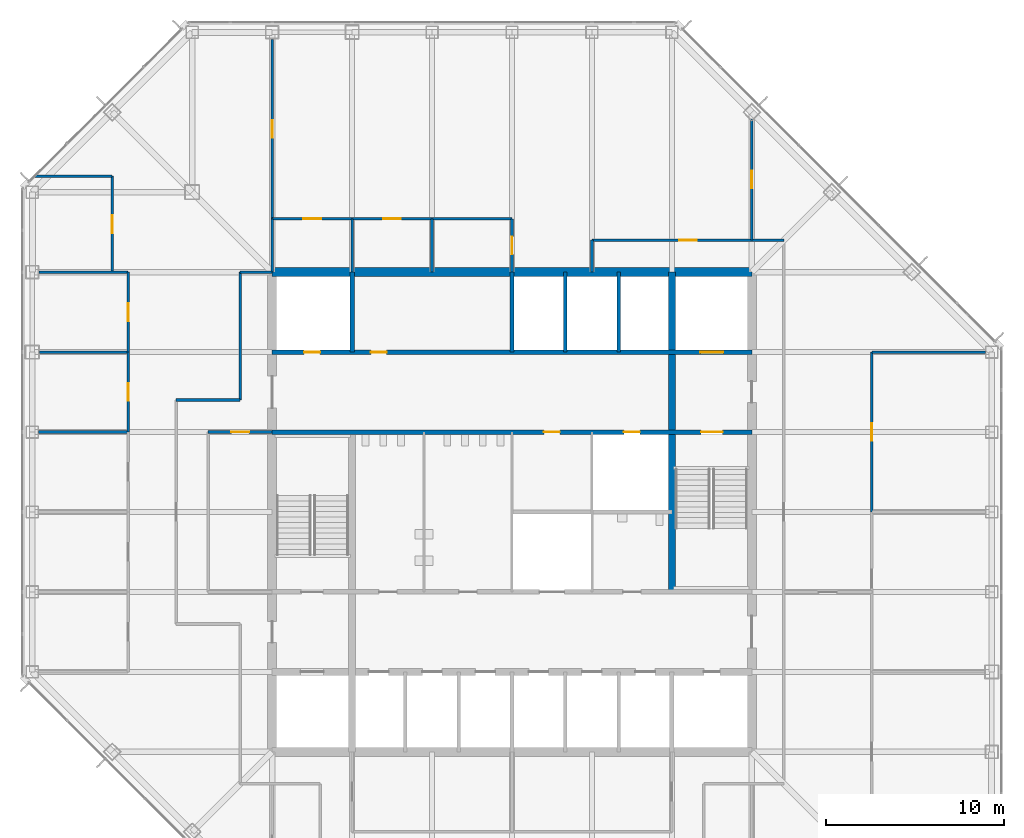
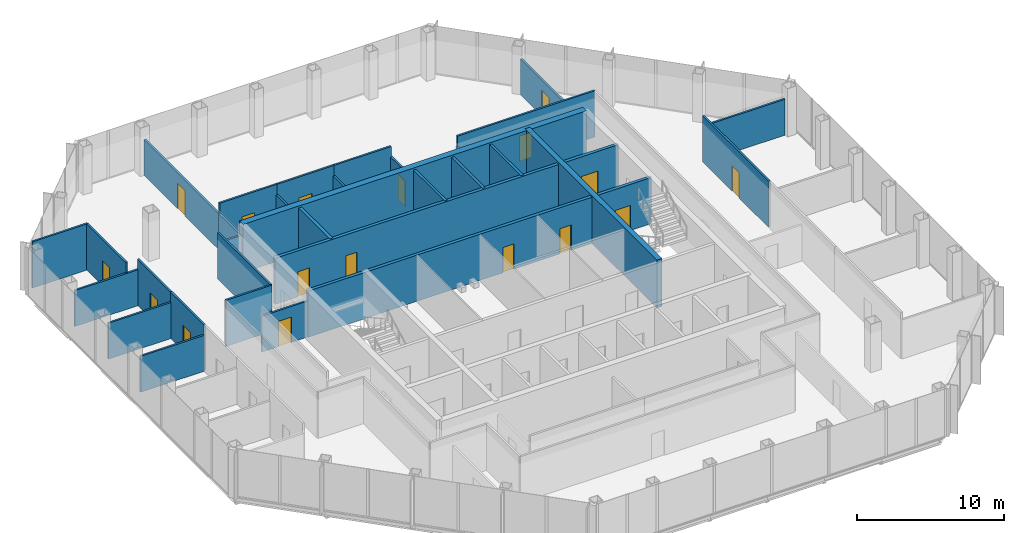
# One storey, part 10 of 13: 32 walls, 17 doors, 17 openings.
"""IFC4 building model written with IfcOpenShell, lengths in metres."""

from ifc_helpers import new_model, si_unit, direction, frame, frame_2d, origin, place, context, subcontext, project, spatial, rectangle, extrude, material, layer, layer_set, type_object, element, fill, save


model = new_model("IFC4")

# Units and contexts
model_context = context("Model", 3, precision=1e-05, world=origin(), true_north=direction((0.0, 1.0)))
body_context = subcontext(model_context, "Body", "Model", "MODEL_VIEW")
ifc_project = project(units=[si_unit("LENGTHUNIT", "METRE"), si_unit("AREAUNIT", "SQUARE_METRE"), si_unit("VOLUMEUNIT", "CUBIC_METRE"), si_unit("PLANEANGLEUNIT", "RADIAN"), si_unit("MASSUNIT", "GRAM", prefix="KILO")], contexts=[model_context])

# Site, building, storey
site_placement = place(None, origin())
site = spatial("IfcSite", under=ifc_project, at=site_placement, CompositionType="ELEMENT")
building_placement = place(site_placement, origin())
building = spatial("IfcBuilding", under=site, at=building_placement, Name="Corais Broadcast Tower", CompositionType="ELEMENT")
storey_placement = place(building_placement, frame((0.0, 0.0, 155.60009765625)))
storey = spatial("IfcBuildingStorey", under=building, at=storey_placement, Name="L35", CompositionType="ELEMENT", Elevation=155.60009765625)

# Wall
ifc_material_1 = material(Name="Concrete blockwork class A, grouted, two-hour", Category="masonry")
ifc_layer_1 = layer(ifc_material_1, 0.25)
ifc_layer_set_1 = layer_set([ifc_layer_1], Name="Concrete blockwork class A, grouted, two-hour")
wall_type_1 = type_object("IfcWallType", Name="Core lobby wall 250", PredefinedType="SOLIDWALL", material=ifc_layer_set_1)
wall_1_placement = place(storey_placement, frame((18.0, 36.0, 0.0), z_axis=(0.0, 0.0, 1.0), x_axis=(0.0, 1.0, 0.0)))
element("IfcWall", 1, at=wall_1_placement, inside=storey, type_object=wall_type_1, Name="CL2 core shaft wall X18B L35", PredefinedType="SOLIDWALL", context=body_context, shape_type="SweptSolid", body=[
    extrude(rectangle(XDim=4.5, YDim=0.25, at=frame_2d((2.25, 0.0))), origin(), (0.0, 0.0, 1.0), 3.83984375),
])

# Wall, openings, doors
wall_2_placement = place(storey_placement, frame((13.5, 31.5, 0.0), z_axis=(0.0, 0.0, 1.0), x_axis=(1.0, 0.0, 0.0)))
wall_2 = element("IfcWall", 2, at=wall_2_placement, inside=storey, type_object=wall_type_1, Name="CL2 core lobby wall Y315 L35", PredefinedType="SOLIDWALL", context=body_context, shape_type="SweptSolid", body=[
    extrude(rectangle(XDim=27.0, YDim=0.25, at=frame_2d((13.5, 0.0))), origin(), (0.0, 0.0, 1.0), 3.83984375),
])
opening_1_placement = place(wall_2_placement, frame((24.14990234375, 0.0, 0.0)))
opening_1 = element("IfcOpeningElement", 3, at=opening_1_placement, cuts=wall_2, Name="Opening FD1", PredefinedType="OPENING", context=body_context, shape_type="SweptSolid", body=[
    extrude(rectangle(XDim=1.199951171875, YDim=2.10009765625, at=frame_2d((0.60009765625, 1.050048828125))), frame((0.0, 0.135009765625, 0.0), z_axis=(0.0, -1.0, 0.0), x_axis=(1.0, 0.0, 0.0)), (0.0, 0.0, 1.0), 0.27001953125),
])
opening_2_placement = place(wall_2_placement, frame((15.300048828125, 0.0, 0.0)))
opening_2 = element("IfcOpeningElement", 4, at=opening_2_placement, cuts=wall_2, Name="Opening RD1", PredefinedType="OPENING", context=body_context, shape_type="SweptSolid", body=[
    extrude(rectangle(XDim=0.89990234375, YDim=2.10009765625, at=frame_2d((0.449951171875, 1.050048828125))), frame((0.0, 0.135009765625, 0.0), z_axis=(0.0, -1.0, 0.0), x_axis=(1.0, 0.0, 0.0)), (0.0, 0.0, 1.0), 0.27001953125),
])
opening_3_placement = place(wall_2_placement, frame((19.800048828125, 0.0, 0.0)))
opening_3 = element("IfcOpeningElement", 5, at=opening_3_placement, cuts=wall_2, Name="Opening RD1", PredefinedType="OPENING", context=body_context, shape_type="SweptSolid", body=[
    extrude(rectangle(XDim=0.89990234375, YDim=2.10009765625, at=frame_2d((0.449951171875, 1.050048828125))), frame((0.0, 0.135009765625, 0.0), z_axis=(0.0, -1.0, 0.0), x_axis=(1.0, 0.0, 0.0)), (0.0, 0.0, 1.0), 0.27001953125),
])
ifc_material_2 = material(Name="Steel fire door", Category="steel")
door_type_1 = type_object("IfcDoorType", Name="Fire door 1200x2100", OperationType="SINGLE_SWING_LEFT", PredefinedType="DOOR", material=ifc_material_2)
door_1_placement = place(opening_1_placement, origin())
door_1 = element("IfcDoor", 6, at=door_1_placement, inside=storey, type_object=door_type_1, Name="FD1 stair B door L35", OperationType="SINGLE_SWING_RIGHT", OverallHeight=2.10009765625, OverallWidth=1.199951171875, PredefinedType="DOOR", context=body_context, shape_type="SweptSolid", body=[
    extrude(rectangle(XDim=1.199951171875, YDim=2.10009765625, at=frame_2d((0.60009765625, 1.050048828125))), frame((0.0, 0.02490234375, 0.0), z_axis=(0.0, -1.0, 0.0), x_axis=(1.0, 0.0, 0.0)), (0.0, 0.0, 1.0), 0.050048828125),
])
fill(opening_1, door_1)
ifc_material_3 = material(Name="Steel fire door", Category="steel")
door_type_2 = type_object("IfcDoorType", Name="Riser door 900x2100", OperationType="SINGLE_SWING_LEFT", PredefinedType="DOOR", material=ifc_material_3)
door_2_placement = place(opening_2_placement, origin())
door_2 = element("IfcDoor", 7, at=door_2_placement, inside=storey, type_object=door_type_2, Name="RD1 cleaner's store door L35", OperationType="SINGLE_SWING_RIGHT", OverallHeight=2.10009765625, OverallWidth=0.89990234375, PredefinedType="DOOR", context=body_context, shape_type="SweptSolid", body=[
    extrude(rectangle(XDim=0.89990234375, YDim=2.10009765625, at=frame_2d((0.449951171875, 1.050048828125))), frame((0.0, 0.02490234375, 0.0), z_axis=(0.0, -1.0, 0.0), x_axis=(1.0, 0.0, 0.0)), (0.0, 0.0, 1.0), 0.050048828125),
])
fill(opening_2, door_2)
door_3_placement = place(opening_3_placement, origin())
door_3 = element("IfcDoor", 8, at=door_3_placement, inside=storey, type_object=door_type_2, Name="RD1 riser door L35", OperationType="SINGLE_SWING_RIGHT", OverallHeight=2.10009765625, OverallWidth=0.89990234375, PredefinedType="DOOR", context=body_context, shape_type="SweptSolid", body=[
    extrude(rectangle(XDim=0.89990234375, YDim=2.10009765625, at=frame_2d((0.449951171875, 1.050048828125))), frame((0.0, 0.02490234375, 0.0), z_axis=(0.0, -1.0, 0.0), x_axis=(1.0, 0.0, 0.0)), (0.0, 0.0, 1.0), 0.050048828125),
])
fill(opening_3, door_3)

# Walls
ifc_material_4 = material(Name="Concrete C50/60", Category="concrete")
ifc_layer_2 = layer(ifc_material_4, 0.39990234375)
ifc_layer_set_2 = layer_set([ifc_layer_2], Name="Concrete C50/60")
wall_type_2 = type_object("IfcWallType", Name="Core wall 400", PredefinedType="SHEAR", material=ifc_layer_set_2)
wall_3_placement = place(storey_placement, frame((36.0, 22.5, 0.0), z_axis=(0.0, 0.0, 1.0), x_axis=(0.0, 1.0, 0.0)))
element("IfcWall", 9, at=wall_3_placement, inside=storey, type_object=wall_type_2, Name="CR400 core wall X36B L35", PredefinedType="SHEAR", context=body_context, shape_type="SweptSolid", body=[
    extrude(rectangle(XDim=18.0, YDim=0.39990234375, at=frame_2d((9.0, 0.0))), origin(), (0.0, 0.0, 1.0), 4.0),
])
ifc_material_5 = material(Name="Concrete C50/60", Category="concrete")
ifc_layer_3 = layer(ifc_material_5, 0.5)
ifc_layer_set_3 = layer_set([ifc_layer_3], Name="Concrete C50/60")
wall_type_3 = type_object("IfcWallType", Name="Core wall 500", PredefinedType="SHEAR", material=ifc_layer_set_3)
wall_4_placement = place(storey_placement, frame((40.5, 40.5, 0.0), z_axis=(0.0, 0.0, 1.0), x_axis=(-1.0, 0.0, 0.0)))
element("IfcWall", 10, at=wall_4_placement, inside=storey, type_object=wall_type_3, Name="CR500 core wall N L35", PredefinedType="SHEAR", context=body_context, shape_type="SweptSolid", body=[
    extrude(rectangle(XDim=27.0, YDim=0.5, at=frame_2d((13.5, 0.0))), origin(), (0.0, 0.0, 1.0), 4.0),
])

# Wall, openings, doors
ifc_material_6 = material(Name="Concrete blockwork class A, grouted, four-hour", Category="masonry")
ifc_layer_4 = layer(ifc_material_6, 0.25)
ifc_layer_set_4 = layer_set([ifc_layer_4], Name="Concrete blockwork class A, grouted, four-hour")
wall_type_4 = type_object("IfcWallType", Name="Emergency lift shaft wall 250", PredefinedType="SOLIDWALL", material=ifc_layer_set_4)
wall_5_placement = place(storey_placement, frame((13.5, 36.0, 0.0), z_axis=(0.0, 0.0, 1.0), x_axis=(1.0, 0.0, 0.0)))
wall_5 = element("IfcWall", 11, at=wall_5_placement, inside=storey, type_object=wall_type_4, Name="LS2 core lobby wall Y36 L35", PredefinedType="SOLIDWALL", context=body_context, shape_type="SweptSolid", body=[
    extrude(rectangle(XDim=27.0, YDim=0.25, at=frame_2d((13.5, 0.0))), origin(), (0.0, 0.0, 1.0), 3.83984375),
])
opening_4_placement = place(wall_5_placement, frame((1.800048828125, 0.0, 0.0)))
opening_4 = element("IfcOpeningElement", 12, at=opening_4_placement, cuts=wall_5, Name="Opening RD1", PredefinedType="OPENING", context=body_context, shape_type="SweptSolid", body=[
    extrude(rectangle(XDim=0.89990234375, YDim=2.10009765625, at=frame_2d((0.449951171875, 1.050048828125))), frame((0.0, 0.135009765625, 0.0), z_axis=(0.0, -1.0, 0.0), x_axis=(1.0, 0.0, 0.0)), (0.0, 0.0, 1.0), 0.27001953125),
])
opening_5_placement = place(wall_5_placement, frame((5.550048828125, 0.0, 0.0)))
opening_5 = element("IfcOpeningElement", 13, at=opening_5_placement, cuts=wall_5, Name="Opening RD1", PredefinedType="OPENING", context=body_context, shape_type="SweptSolid", body=[
    extrude(rectangle(XDim=0.89990234375, YDim=2.10009765625, at=frame_2d((0.449951171875, 1.050048828125))), frame((0.0, 0.135009765625, 0.0), z_axis=(0.0, -1.0, 0.0), x_axis=(1.0, 0.0, 0.0)), (0.0, 0.0, 1.0), 0.27001953125),
])
opening_6_placement = place(wall_5_placement, frame((24.10009765625, 0.0, 0.0)))
opening_6 = element("IfcOpeningElement", 14, at=opening_6_placement, cuts=wall_5, Name="Opening LD2", PredefinedType="OPENING", context=body_context, shape_type="SweptSolid", body=[
    extrude(rectangle(XDim=1.300048828125, YDim=2.199951171875, at=frame_2d((0.64990234375, 1.10009765625))), frame((0.0, 0.135009765625, 0.0), z_axis=(0.0, -1.0, 0.0), x_axis=(1.0, 0.0, 0.0)), (0.0, 0.0, 1.0), 0.27001953125),
])
ifc_material_7 = material(Name="Stainless steel lift door", Category="steel")
door_type_3 = type_object("IfcDoorType", Name="Lift landing door 1300x2200", OperationType="SLIDING_TO_LEFT", PredefinedType="DOOR", material=ifc_material_7)
door_4_placement = place(opening_6_placement, origin())
door_4 = element("IfcDoor", 15, at=door_4_placement, inside=storey, type_object=door_type_3, Name="LD2 FL2 landing door L35", OperationType="SLIDING_TO_LEFT", OverallHeight=2.199951171875, OverallWidth=1.300048828125, PredefinedType="DOOR", context=body_context, shape_type="SweptSolid", body=[
    extrude(rectangle(XDim=1.300048828125, YDim=2.199951171875, at=frame_2d((0.64990234375, 1.10009765625))), frame((0.0, 0.02490234375, 0.0), z_axis=(0.0, -1.0, 0.0), x_axis=(1.0, 0.0, 0.0)), (0.0, 0.0, 1.0), 0.050048828125),
])
fill(opening_6, door_4)
door_5_placement = place(opening_4_placement, origin())
door_5 = element("IfcDoor", 16, at=door_5_placement, inside=storey, type_object=door_type_2, Name="RD1 riser door L35", OperationType="SINGLE_SWING_LEFT", OverallHeight=2.10009765625, OverallWidth=0.89990234375, PredefinedType="DOOR", context=body_context, shape_type="SweptSolid", body=[
    extrude(rectangle(XDim=0.89990234375, YDim=2.10009765625, at=frame_2d((0.449951171875, 1.050048828125))), frame((0.0, 0.02490234375, 0.0), z_axis=(0.0, -1.0, 0.0), x_axis=(1.0, 0.0, 0.0)), (0.0, 0.0, 1.0), 0.050048828125),
])
fill(opening_4, door_5)
door_6_placement = place(opening_5_placement, origin())
door_6 = element("IfcDoor", 17, at=door_6_placement, inside=storey, type_object=door_type_2, Name="RD1 stationery store door L35", OperationType="SINGLE_SWING_LEFT", OverallHeight=2.10009765625, OverallWidth=0.89990234375, PredefinedType="DOOR", context=body_context, shape_type="SweptSolid", body=[
    extrude(rectangle(XDim=0.89990234375, YDim=2.10009765625, at=frame_2d((0.449951171875, 1.050048828125))), frame((0.0, 0.02490234375, 0.0), z_axis=(0.0, -1.0, 0.0), x_axis=(1.0, 0.0, 0.0)), (0.0, 0.0, 1.0), 0.050048828125),
])
fill(opening_5, door_6)

# Wall, opening, door
ifc_material_8 = material(Name="Gypsum board on steel studs", Category="steel")
ifc_layer_5 = layer(ifc_material_8, 0.14990234375)
ifc_layer_set_5 = layer_set([ifc_layer_5], Name="Gypsum board on steel studs")
wall_type_5 = type_object("IfcWallType", Name="Partition 150", PredefinedType="PARTITIONING", material=ifc_layer_set_5)
wall_6_placement = place(storey_placement, frame((42.300048828125, 42.300048828125, 0.0), z_axis=(0.0, 0.0, 1.0), x_axis=(-1.0, 0.0, 0.0)))
wall_6 = element("IfcWall", 18, at=wall_6_placement, inside=storey, type_object=wall_type_5, Name="IW3 corridor wall L35", PredefinedType="PARTITIONING", context=body_context, shape_type="SweptSolid", body=[
    extrude(rectangle(XDim=10.800048828125, YDim=0.14990234375, at=frame_2d((5.39990234375, 0.0))), origin(), (0.0, 0.0, 1.0), 3.83984375),
])
opening_7_placement = place(wall_6_placement, frame((4.89990234375, 0.0, 0.0)))
opening_7 = element("IfcOpeningElement", 19, at=opening_7_placement, cuts=wall_6, Name="Opening D1", PredefinedType="OPENING", context=body_context, shape_type="SweptSolid", body=[
    extrude(rectangle(XDim=1.0, YDim=2.10009765625, at=frame_2d((0.5, 1.050048828125))), frame((0.0, 0.0849609375, 0.0), z_axis=(0.0, -1.0, 0.0), x_axis=(1.0, 0.0, 0.0)), (0.0, 0.0, 1.0), 0.169921875),
])
ifc_material_9 = material(Name="Timber door", Category="wood")
door_type_4 = type_object("IfcDoorType", Name="Single door 1000x2100", OperationType="SINGLE_SWING_LEFT", PredefinedType="DOOR", material=ifc_material_9)
door_7_placement = place(opening_7_placement, origin())
door_7 = element("IfcDoor", 20, at=door_7_placement, inside=storey, type_object=door_type_4, Name="D1 workplace door L35", OperationType="SINGLE_SWING_LEFT", OverallHeight=2.10009765625, OverallWidth=1.0, PredefinedType="DOOR", context=body_context, shape_type="SweptSolid", body=[
    extrude(rectangle(XDim=1.0, YDim=2.10009765625, at=frame_2d((0.5, 1.050048828125))), frame((0.0, 0.02490234375, 0.0), z_axis=(0.0, -1.0, 0.0), x_axis=(1.0, 0.0, 0.0)), (0.0, 0.0, 1.0), 0.050048828125),
])
fill(opening_7, door_7)

# Walls
wall_7_placement = place(storey_placement, frame((11.699951171875, 40.5, 0.0), z_axis=(0.0, 0.0, 1.0), x_axis=(0.0, -1.0, 0.0)))
element("IfcWall", 21, at=wall_7_placement, inside=storey, type_object=wall_type_5, Name="IW3 corridor wall L35", PredefinedType="PARTITIONING", context=body_context, shape_type="SweptSolid", body=[
    extrude(rectangle(XDim=7.199951171875, YDim=0.14990234375, at=frame_2d((3.60009765625, 0.0))), origin(), (0.0, 0.0, 1.0), 3.83984375),
])
wall_8_placement = place(storey_placement, frame((11.699951171875, 33.300048828125, 0.0), z_axis=(0.0, 0.0, 1.0), x_axis=(-1.0, 0.0, 0.0)))
element("IfcWall", 22, at=wall_8_placement, inside=storey, type_object=wall_type_5, Name="IW3 corridor wall L35", PredefinedType="PARTITIONING", context=body_context, shape_type="SweptSolid", body=[
    extrude(rectangle(XDim=3.599853515625, YDim=0.14990234375, at=frame_2d((1.7998046875, 0.0))), origin(), (0.0, 0.0, 1.0), 3.83984375),
])
for number, where, z_axis, x_axis, name in (
    (23, (13.5, 40.5, 0.0), (0.0, 0.0, 1.0), (-1.0, 0.0, 0.0), "IW3 corridor wall L35"),
    (24, (31.5, 42.300048828125, 0.0), (0.0, 0.0, 1.0), (0.0, -1.0, 0.0), "IW3 corridor wall L35"),
):
    element("IfcWall", number, at=place(storey_placement, frame(where, z_axis=z_axis, x_axis=x_axis)), inside=storey, type_object=wall_type_5, Name=name, PredefinedType="PARTITIONING", context=body_context, shape_type="SweptSolid", body=[
        extrude(rectangle(XDim=1.800048828125, YDim=0.14990234375, at=frame_2d((0.89990234375, 0.0))), origin(), (0.0, 0.0, 1.0), 2.989013671875),
    ])
wall_9_placement = place(storey_placement, frame((53.639892578125, 36.0, 0.0), z_axis=(0.0, 0.0, 1.0), x_axis=(-1.0, 0.0, 0.0)))
element("IfcWall", 25, at=wall_9_placement, inside=storey, type_object=wall_type_5, Name="IW3 partition L35", PredefinedType="PARTITIONING", context=body_context, shape_type="SweptSolid", body=[
    extrude(rectangle(XDim=6.389892578125, YDim=0.14990234375, at=frame_2d((3.19482421875, 0.0))), origin(), (0.0, 0.0, 1.0), 2.989013671875),
])

# Wall, opening, door
wall_10_placement = place(storey_placement, frame((47.25, 36.0, 0.0), z_axis=(0.0, 0.0, 1.0), x_axis=(0.0, -1.0, 0.0)))
wall_10 = element("IfcWall", 26, at=wall_10_placement, inside=storey, type_object=wall_type_5, Name="IW3 partition L35", PredefinedType="PARTITIONING", context=body_context, shape_type="SweptSolid", body=[
    extrude(rectangle(XDim=9.0, YDim=0.14990234375, at=frame_2d((4.5, 0.0))), origin(), (0.0, 0.0, 1.0), 3.83984375),
])
opening_8_placement = place(wall_10_placement, frame((4.0, 0.0, 0.0)))
opening_8 = element("IfcOpeningElement", 27, at=opening_8_placement, cuts=wall_10, Name="Opening D1", PredefinedType="OPENING", context=body_context, shape_type="SweptSolid", body=[
    extrude(rectangle(XDim=1.0, YDim=2.10009765625, at=frame_2d((0.5, 1.050048828125))), frame((0.0, 0.0849609375, 0.0), z_axis=(0.0, -1.0, 0.0), x_axis=(1.0, 0.0, 0.0)), (0.0, 0.0, 1.0), 0.169921875),
])
door_8_placement = place(opening_8_placement, origin())
door_8 = element("IfcDoor", 28, at=door_8_placement, inside=storey, type_object=door_type_4, Name="D1 Creative office door", OperationType="SINGLE_SWING_LEFT", OverallHeight=2.10009765625, OverallWidth=1.0, PredefinedType="DOOR", context=body_context, shape_type="SweptSolid", body=[
    extrude(rectangle(XDim=1.0, YDim=2.10009765625, at=frame_2d((0.5, 1.050048828125))), frame((0.0, 0.02490234375, 0.0), z_axis=(0.0, -1.0, 0.0), x_axis=(1.0, 0.0, 0.0)), (0.0, 0.0, 1.0), 0.050048828125),
])
fill(opening_8, door_8)

wall_11_placement = place(storey_placement, frame((13.5, 31.5, 0.0), z_axis=(0.0, 0.0, 1.0), x_axis=(-1.0, 0.0, 0.0)))
wall_11 = element("IfcWall", 29, at=wall_11_placement, inside=storey, type_object=wall_type_5, Name="IW3 partition L35", PredefinedType="PARTITIONING", context=body_context, shape_type="SweptSolid", body=[
    extrude(rectangle(XDim=3.60009765625, YDim=0.14990234375, at=frame_2d((1.800048828125, 0.0))), origin(), (0.0, 0.0, 1.0), 2.989013671875),
])
opening_9_placement = place(wall_11_placement, frame((1.300048828125, 0.0, 0.0)))
opening_9 = element("IfcOpeningElement", 30, at=opening_9_placement, cuts=wall_11, Name="Opening D1", PredefinedType="OPENING", context=body_context, shape_type="SweptSolid", body=[
    extrude(rectangle(XDim=1.0, YDim=2.10009765625, at=frame_2d((0.5, 1.050048828125))), frame((0.0, 0.0849609375, 0.0), z_axis=(0.0, -1.0, 0.0), x_axis=(1.0, 0.0, 0.0)), (0.0, 0.0, 1.0), 0.169921875),
])
door_9_placement = place(opening_9_placement, origin())
door_9 = element("IfcDoor", 31, at=door_9_placement, inside=storey, type_object=door_type_4, Name="D1 Pantry door", OperationType="SINGLE_SWING_LEFT", OverallHeight=2.10009765625, OverallWidth=1.0, PredefinedType="DOOR", context=body_context, shape_type="SweptSolid", body=[
    extrude(rectangle(XDim=1.0, YDim=2.10009765625, at=frame_2d((0.5, 1.050048828125))), frame((0.0, 0.02490234375, 0.0), z_axis=(0.0, -1.0, 0.0), x_axis=(1.0, 0.0, 0.0)), (0.0, 0.0, 1.0), 0.050048828125),
])
fill(opening_9, door_9)

# Wall
wall_12_placement = place(storey_placement, frame((5.39990234375, 31.5, 0.0), z_axis=(0.0, 0.0, 1.0), x_axis=(-1.0, 0.0, 0.0)))
element("IfcWall", 32, at=wall_12_placement, inside=storey, type_object=wall_type_5, Name="IW3 partition L35", PredefinedType="PARTITIONING", context=body_context, shape_type="SweptSolid", body=[
    extrude(rectangle(XDim=5.039794921875, YDim=0.14990234375, at=frame_2d((2.52001953125, 0.0))), origin(), (0.0, 0.0, 1.0), 2.989013671875),
])

# Wall, opening, door
wall_13_placement = place(storey_placement, frame((5.39990234375, 31.5, 0.0), z_axis=(0.0, 0.0, 1.0), x_axis=(0.0, 1.0, 0.0)))
wall_13 = element("IfcWall", 33, at=wall_13_placement, inside=storey, type_object=wall_type_5, Name="IW3 partition L35", PredefinedType="PARTITIONING", context=body_context, shape_type="SweptSolid", body=[
    extrude(rectangle(XDim=4.5, YDim=0.14990234375, at=frame_2d((2.25, 0.0))), origin(), (0.0, 0.0, 1.0), 3.83984375),
])
opening_10_placement = place(wall_13_placement, frame((1.75, 0.0, 0.0)))
opening_10 = element("IfcOpeningElement", 34, at=opening_10_placement, cuts=wall_13, Name="Opening D1", PredefinedType="OPENING", context=body_context, shape_type="SweptSolid", body=[
    extrude(rectangle(XDim=1.0, YDim=2.10009765625, at=frame_2d((0.5, 1.050048828125))), frame((0.0, 0.0849609375, 0.0), z_axis=(0.0, -1.0, 0.0), x_axis=(1.0, 0.0, 0.0)), (0.0, 0.0, 1.0), 0.169921875),
])
door_10_placement = place(opening_10_placement, origin())
door_10 = element("IfcDoor", 35, at=door_10_placement, inside=storey, type_object=door_type_4, Name="D1 Edit room door", OperationType="SINGLE_SWING_LEFT", OverallHeight=2.10009765625, OverallWidth=1.0, PredefinedType="DOOR", context=body_context, shape_type="SweptSolid", body=[
    extrude(rectangle(XDim=1.0, YDim=2.10009765625, at=frame_2d((0.5, 1.050048828125))), frame((0.0, 0.02490234375, 0.0), z_axis=(0.0, -1.0, 0.0), x_axis=(1.0, 0.0, 0.0)), (0.0, 0.0, 1.0), 0.050048828125),
])
fill(opening_10, door_10)

# Wall
wall_14_placement = place(storey_placement, frame((5.39990234375, 36.0, 0.0), z_axis=(0.0, 0.0, 1.0), x_axis=(-1.0, 0.0, 0.0)))
element("IfcWall", 36, at=wall_14_placement, inside=storey, type_object=wall_type_5, Name="IW3 partition L35", PredefinedType="PARTITIONING", context=body_context, shape_type="SweptSolid", body=[
    extrude(rectangle(XDim=4.989990234375, YDim=0.14990234375, at=frame_2d((2.4951171875, 0.0))), origin(), (0.0, 0.0, 1.0), 2.989013671875),
])

# Wall, opening, door
wall_15_placement = place(storey_placement, frame((5.39990234375, 36.0, 0.0), z_axis=(0.0, 0.0, 1.0), x_axis=(0.0, 1.0, 0.0)))
wall_15 = element("IfcWall", 37, at=wall_15_placement, inside=storey, type_object=wall_type_5, Name="IW3 partition L35", PredefinedType="PARTITIONING", context=body_context, shape_type="SweptSolid", body=[
    extrude(rectangle(XDim=4.5, YDim=0.14990234375, at=frame_2d((2.25, 0.0))), origin(), (0.0, 0.0, 1.0), 3.83984375),
])
opening_11_placement = place(wall_15_placement, frame((1.75, 0.0, 0.0)))
opening_11 = element("IfcOpeningElement", 38, at=opening_11_placement, cuts=wall_15, Name="Opening D1", PredefinedType="OPENING", context=body_context, shape_type="SweptSolid", body=[
    extrude(rectangle(XDim=1.0, YDim=2.10009765625, at=frame_2d((0.5, 1.050048828125))), frame((0.0, 0.0849609375, 0.0), z_axis=(0.0, -1.0, 0.0), x_axis=(1.0, 0.0, 0.0)), (0.0, 0.0, 1.0), 0.169921875),
])
door_11_placement = place(opening_11_placement, origin())
door_11 = element("IfcDoor", 39, at=door_11_placement, inside=storey, type_object=door_type_4, Name="D1 Edit room door", OperationType="SINGLE_SWING_LEFT", OverallHeight=2.10009765625, OverallWidth=1.0, PredefinedType="DOOR", context=body_context, shape_type="SweptSolid", body=[
    extrude(rectangle(XDim=1.0, YDim=2.10009765625, at=frame_2d((0.5, 1.050048828125))), frame((0.0, 0.02490234375, 0.0), z_axis=(0.0, -1.0, 0.0), x_axis=(1.0, 0.0, 0.0)), (0.0, 0.0, 1.0), 0.050048828125),
])
fill(opening_11, door_11)

# Wall
wall_16_placement = place(storey_placement, frame((5.39990234375, 40.5, 0.0), z_axis=(0.0, 0.0, 1.0), x_axis=(-1.0, 0.0, 0.0)))
element("IfcWall", 40, at=wall_16_placement, inside=storey, type_object=wall_type_5, Name="IW3 partition L35", PredefinedType="PARTITIONING", context=body_context, shape_type="SweptSolid", body=[
    extrude(rectangle(XDim=5.014892578125, YDim=0.14990234375, at=frame_2d((2.50732421875, 0.0))), origin(), (0.0, 0.0, 1.0), 2.989013671875),
])

# Wall, opening, door
wall_17_placement = place(storey_placement, frame((4.5, 40.5, 0.0), z_axis=(0.0, 0.0, 1.0), x_axis=(0.0, 1.0, 0.0)))
wall_17 = element("IfcWall", 41, at=wall_17_placement, inside=storey, type_object=wall_type_5, Name="IW3 partition L35", PredefinedType="PARTITIONING", context=body_context, shape_type="SweptSolid", body=[
    extrude(rectangle(XDim=5.39990234375, YDim=0.14990234375, at=frame_2d((2.699951171875, 0.0))), origin(), (0.0, 0.0, 1.0), 3.83984375),
])
opening_12_placement = place(wall_17_placement, frame((2.199951171875, 0.0, 0.0)))
opening_12 = element("IfcOpeningElement", 42, at=opening_12_placement, cuts=wall_17, Name="Opening D1", PredefinedType="OPENING", context=body_context, shape_type="SweptSolid", body=[
    extrude(rectangle(XDim=1.0, YDim=2.10009765625, at=frame_2d((0.5, 1.050048828125))), frame((0.0, 0.0849609375, 0.0), z_axis=(0.0, -1.0, 0.0), x_axis=(1.0, 0.0, 0.0)), (0.0, 0.0, 1.0), 0.169921875),
])
door_12_placement = place(opening_12_placement, origin())
door_12 = element("IfcDoor", 43, at=door_12_placement, inside=storey, type_object=door_type_4, Name="D1 Edit room door", OperationType="SINGLE_SWING_LEFT", OverallHeight=2.10009765625, OverallWidth=1.0, PredefinedType="DOOR", context=body_context, shape_type="SweptSolid", body=[
    extrude(rectangle(XDim=1.0, YDim=2.10009765625, at=frame_2d((0.5, 1.050048828125))), frame((0.0, 0.02490234375, 0.0), z_axis=(0.0, -1.0, 0.0), x_axis=(1.0, 0.0, 0.0)), (0.0, 0.0, 1.0), 0.050048828125),
])
fill(opening_12, door_12)

# Walls
wall_18_placement = place(storey_placement, frame((4.5, 45.89990234375, 0.0), z_axis=(0.0, 0.0, 1.0), x_axis=(-1.0, 0.0, 0.0)))
element("IfcWall", 44, at=wall_18_placement, inside=storey, type_object=wall_type_5, Name="IW3 partition L35", PredefinedType="PARTITIONING", context=body_context, shape_type="SweptSolid", body=[
    extrude(rectangle(XDim=4.33544921875, YDim=0.14990234375, at=frame_2d((2.167724609375, 0.0))), origin(), (0.0, 0.0, 1.0), 3.83984375),
])
wall_19_placement = place(storey_placement, frame((18.0, 40.5, 0.0), z_axis=(0.0, 0.0, 1.0), x_axis=(0.0, 1.0, 0.0)))
element("IfcWall", 45, at=wall_19_placement, inside=storey, type_object=wall_type_5, Name="IW3 partition L35", PredefinedType="PARTITIONING", context=body_context, shape_type="SweptSolid", body=[
    extrude(rectangle(XDim=3.0, YDim=0.14990234375, at=frame_2d((1.5, 0.0))), origin(), (0.0, 0.0, 1.0), 2.989013671875),
])

# Wall, opening, door
wall_20_placement = place(storey_placement, frame((18.0, 43.5, 0.0), z_axis=(0.0, 0.0, 1.0), x_axis=(-1.0, 0.0, 0.0)))
wall_20 = element("IfcWall", 46, at=wall_20_placement, inside=storey, type_object=wall_type_5, Name="IW3 partition L35", PredefinedType="PARTITIONING", context=body_context, shape_type="SweptSolid", body=[
    extrude(rectangle(XDim=4.5, YDim=0.14990234375, at=frame_2d((2.25, 0.0))), origin(), (0.0, 0.0, 1.0), 3.83984375),
])
opening_13_placement = place(wall_20_placement, frame((1.75, 0.0, 0.0)))
opening_13 = element("IfcOpeningElement", 47, at=opening_13_placement, cuts=wall_20, Name="Opening D1", PredefinedType="OPENING", context=body_context, shape_type="SweptSolid", body=[
    extrude(rectangle(XDim=1.0, YDim=2.10009765625, at=frame_2d((0.5, 1.050048828125))), frame((0.0, 0.0849609375, 0.0), z_axis=(0.0, -1.0, 0.0), x_axis=(1.0, 0.0, 0.0)), (0.0, 0.0, 1.0), 0.169921875),
])
door_13_placement = place(opening_13_placement, origin())
door_13 = element("IfcDoor", 48, at=door_13_placement, inside=storey, type_object=door_type_4, Name="D1 Quiet room door", OperationType="SINGLE_SWING_LEFT", OverallHeight=2.10009765625, OverallWidth=1.0, PredefinedType="DOOR", context=body_context, shape_type="SweptSolid", body=[
    extrude(rectangle(XDim=1.0, YDim=2.10009765625, at=frame_2d((0.5, 1.050048828125))), frame((0.0, 0.02490234375, 0.0), z_axis=(0.0, -1.0, 0.0), x_axis=(1.0, 0.0, 0.0)), (0.0, 0.0, 1.0), 0.050048828125),
])
fill(opening_13, door_13)

# Walls
for number, where, z_axis, x_axis, name in (
    (49, (13.5, 43.5, 0.0), (0.0, 0.0, 1.0), (0.0, -1.0, 0.0), "IW3 partition L35"),
    (50, (22.5, 40.5, 0.0), (0.0, 0.0, 1.0), (0.0, 1.0, 0.0), "IW3 partition L35"),
):
    element("IfcWall", number, at=place(storey_placement, frame(where, z_axis=z_axis, x_axis=x_axis)), inside=storey, type_object=wall_type_5, Name=name, PredefinedType="PARTITIONING", context=body_context, shape_type="SweptSolid", body=[
        extrude(rectangle(XDim=3.0, YDim=0.14990234375, at=frame_2d((1.5, 0.0))), origin(), (0.0, 0.0, 1.0), 2.989013671875),
    ])

# Wall, opening, door
wall_21_placement = place(storey_placement, frame((22.5, 43.5, 0.0), z_axis=(0.0, 0.0, 1.0), x_axis=(-1.0, 0.0, 0.0)))
wall_21 = element("IfcWall", 51, at=wall_21_placement, inside=storey, type_object=wall_type_5, Name="IW3 partition L35", PredefinedType="PARTITIONING", context=body_context, shape_type="SweptSolid", body=[
    extrude(rectangle(XDim=4.5, YDim=0.14990234375, at=frame_2d((2.25, 0.0))), origin(), (0.0, 0.0, 1.0), 3.83984375),
])
opening_14_placement = place(wall_21_placement, frame((1.75, 0.0, 0.0)))
opening_14 = element("IfcOpeningElement", 52, at=opening_14_placement, cuts=wall_21, Name="Opening D1", PredefinedType="OPENING", context=body_context, shape_type="SweptSolid", body=[
    extrude(rectangle(XDim=1.0, YDim=2.10009765625, at=frame_2d((0.5, 1.050048828125))), frame((0.0, 0.0849609375, 0.0), z_axis=(0.0, -1.0, 0.0), x_axis=(1.0, 0.0, 0.0)), (0.0, 0.0, 1.0), 0.169921875),
])
door_14_placement = place(opening_14_placement, origin())
door_14 = element("IfcDoor", 53, at=door_14_placement, inside=storey, type_object=door_type_4, Name="D1 Quiet room door", OperationType="SINGLE_SWING_LEFT", OverallHeight=2.10009765625, OverallWidth=1.0, PredefinedType="DOOR", context=body_context, shape_type="SweptSolid", body=[
    extrude(rectangle(XDim=1.0, YDim=2.10009765625, at=frame_2d((0.5, 1.050048828125))), frame((0.0, 0.02490234375, 0.0), z_axis=(0.0, -1.0, 0.0), x_axis=(1.0, 0.0, 0.0)), (0.0, 0.0, 1.0), 0.050048828125),
])
fill(opening_14, door_14)

wall_22_placement = place(storey_placement, frame((27.0, 40.5, 0.0), z_axis=(0.0, 0.0, 1.0), x_axis=(0.0, 1.0, 0.0)))
wall_22 = element("IfcWall", 54, at=wall_22_placement, inside=storey, type_object=wall_type_5, Name="IW3 partition L35", PredefinedType="PARTITIONING", context=body_context, shape_type="SweptSolid", body=[
    extrude(rectangle(XDim=3.0, YDim=0.14990234375, at=frame_2d((1.5, 0.0))), origin(), (0.0, 0.0, 1.0), 2.989013671875),
])
opening_15_placement = place(wall_22_placement, frame((1.0, 0.0, 0.0)))
opening_15 = element("IfcOpeningElement", 55, at=opening_15_placement, cuts=wall_22, Name="Opening D1", PredefinedType="OPENING", context=body_context, shape_type="SweptSolid", body=[
    extrude(rectangle(XDim=1.0, YDim=2.10009765625, at=frame_2d((0.5, 1.050048828125))), frame((0.0, 0.0849609375, 0.0), z_axis=(0.0, -1.0, 0.0), x_axis=(1.0, 0.0, 0.0)), (0.0, 0.0, 1.0), 0.169921875),
])
door_15_placement = place(opening_15_placement, origin())
door_15 = element("IfcDoor", 56, at=door_15_placement, inside=storey, type_object=door_type_4, Name="D1 Quiet room door", OperationType="SINGLE_SWING_LEFT", OverallHeight=2.10009765625, OverallWidth=1.0, PredefinedType="DOOR", context=body_context, shape_type="SweptSolid", body=[
    extrude(rectangle(XDim=1.0, YDim=2.10009765625, at=frame_2d((0.5, 1.050048828125))), frame((0.0, 0.02490234375, 0.0), z_axis=(0.0, -1.0, 0.0), x_axis=(1.0, 0.0, 0.0)), (0.0, 0.0, 1.0), 0.050048828125),
])
fill(opening_15, door_15)

# Wall
wall_23_placement = place(storey_placement, frame((27.0, 43.5, 0.0), z_axis=(0.0, 0.0, 1.0), x_axis=(-1.0, 0.0, 0.0)))
element("IfcWall", 57, at=wall_23_placement, inside=storey, type_object=wall_type_5, Name="IW3 partition L35", PredefinedType="PARTITIONING", context=body_context, shape_type="SweptSolid", body=[
    extrude(rectangle(XDim=4.5, YDim=0.14990234375, at=frame_2d((2.25, 0.0))), origin(), (0.0, 0.0, 1.0), 3.83984375),
])

# Wall, opening, door
wall_24_placement = place(storey_placement, frame((13.5, 43.5, 0.0), z_axis=(0.0, 0.0, 1.0), x_axis=(0.0, 1.0, 0.0)))
wall_24 = element("IfcWall", 58, at=wall_24_placement, inside=storey, type_object=wall_type_5, Name="IW3 partition L35", PredefinedType="PARTITIONING", context=body_context, shape_type="SweptSolid", body=[
    extrude(rectangle(XDim=10.10498046875, YDim=0.14990234375, at=frame_2d((5.052490234375, 0.0))), origin(), (0.0, 0.0, 1.0), 2.989013671875),
])
opening_16_placement = place(wall_24_placement, frame((4.552490234375, 0.0, 0.0)))
opening_16 = element("IfcOpeningElement", 59, at=opening_16_placement, cuts=wall_24, Name="Opening D1", PredefinedType="OPENING", context=body_context, shape_type="SweptSolid", body=[
    extrude(rectangle(XDim=1.0, YDim=2.10009765625, at=frame_2d((0.5, 1.050048828125))), frame((0.0, 0.0849609375, 0.0), z_axis=(0.0, -1.0, 0.0), x_axis=(1.0, 0.0, 0.0)), (0.0, 0.0, 1.0), 0.169921875),
])
door_16_placement = place(opening_16_placement, origin())
door_16 = element("IfcDoor", 60, at=door_16_placement, inside=storey, type_object=door_type_4, Name="D1 team room door L35", OperationType="SINGLE_SWING_LEFT", OverallHeight=2.10009765625, OverallWidth=1.0, PredefinedType="DOOR", context=body_context, shape_type="SweptSolid", body=[
    extrude(rectangle(XDim=1.0, YDim=2.10009765625, at=frame_2d((0.5, 1.050048828125))), frame((0.0, 0.02490234375, 0.0), z_axis=(0.0, -1.0, 0.0), x_axis=(1.0, 0.0, 0.0)), (0.0, 0.0, 1.0), 0.050048828125),
])
fill(opening_16, door_16)

wall_25_placement = place(storey_placement, frame((40.5, 49.1298828125, 0.0), z_axis=(0.0, 0.0, 1.0), x_axis=(0.0, -1.0, 0.0)))
wall_25 = element("IfcWall", 61, at=wall_25_placement, inside=storey, type_object=wall_type_5, Name="IW3 partition L35", PredefinedType="PARTITIONING", context=body_context, shape_type="SweptSolid", body=[
    extrude(rectangle(XDim=6.829833984375, YDim=0.14990234375, at=frame_2d((3.4150390625, 0.0))), origin(), (0.0, 0.0, 1.0), 2.989013671875),
])
opening_17_placement = place(wall_25_placement, frame((2.9150390625, 0.0, 0.0)))
opening_17 = element("IfcOpeningElement", 62, at=opening_17_placement, cuts=wall_25, Name="Opening D1", PredefinedType="OPENING", context=body_context, shape_type="SweptSolid", body=[
    extrude(rectangle(XDim=1.0, YDim=2.10009765625, at=frame_2d((0.5, 1.050048828125))), frame((0.0, 0.0849609375, 0.0), z_axis=(0.0, -1.0, 0.0), x_axis=(1.0, 0.0, 0.0)), (0.0, 0.0, 1.0), 0.169921875),
])
door_17_placement = place(opening_17_placement, origin())
door_17 = element("IfcDoor", 63, at=door_17_placement, inside=storey, type_object=door_type_4, Name="D1 team room door L35", OperationType="SINGLE_SWING_LEFT", OverallHeight=2.10009765625, OverallWidth=1.0, PredefinedType="DOOR", context=body_context, shape_type="SweptSolid", body=[
    extrude(rectangle(XDim=1.0, YDim=2.10009765625, at=frame_2d((0.5, 1.050048828125))), frame((0.0, 0.02490234375, 0.0), z_axis=(0.0, -1.0, 0.0), x_axis=(1.0, 0.0, 0.0)), (0.0, 0.0, 1.0), 0.050048828125),
])
fill(opening_17, door_17)

# Walls
ifc_material_10 = material(Name="Concrete blockwork class A, grouted, two-hour", Category="masonry")
ifc_layer_6 = layer(ifc_material_10, 0.199951171875)
ifc_layer_set_6 = layer_set([ifc_layer_6], Name="Concrete blockwork class A, grouted, two-hour")
wall_type_6 = type_object("IfcWallType", Name="Shaft wall 200", PredefinedType="PARTITIONING", material=ifc_layer_set_6)
for number, where, z_axis, x_axis, name in (
    (64, (27.0, 36.0, 0.0), (0.0, 0.0, 1.0), (0.0, 1.0, 0.0), "IW1 shaft wall L35"),
    (65, (30.0, 36.0, 0.0), (0.0, 0.0, 1.0), (0.0, 1.0, 0.0), "IW1 shaft wall L35"),
    (66, (33.0, 36.0, 0.0), (0.0, 0.0, 1.0), (0.0, 1.0, 0.0), "IW1 shaft wall L35"),
):
    element("IfcWall", number, at=place(storey_placement, frame(where, z_axis=z_axis, x_axis=x_axis)), inside=storey, type_object=wall_type_6, Name=name, PredefinedType="PARTITIONING", context=body_context, shape_type="SweptSolid", body=[
        extrude(rectangle(XDim=4.5, YDim=0.199951171875, at=frame_2d((2.25, 0.0))), origin(), (0.0, 0.0, 1.0), 3.83984375),
    ])

save(model, "model.ifc")
